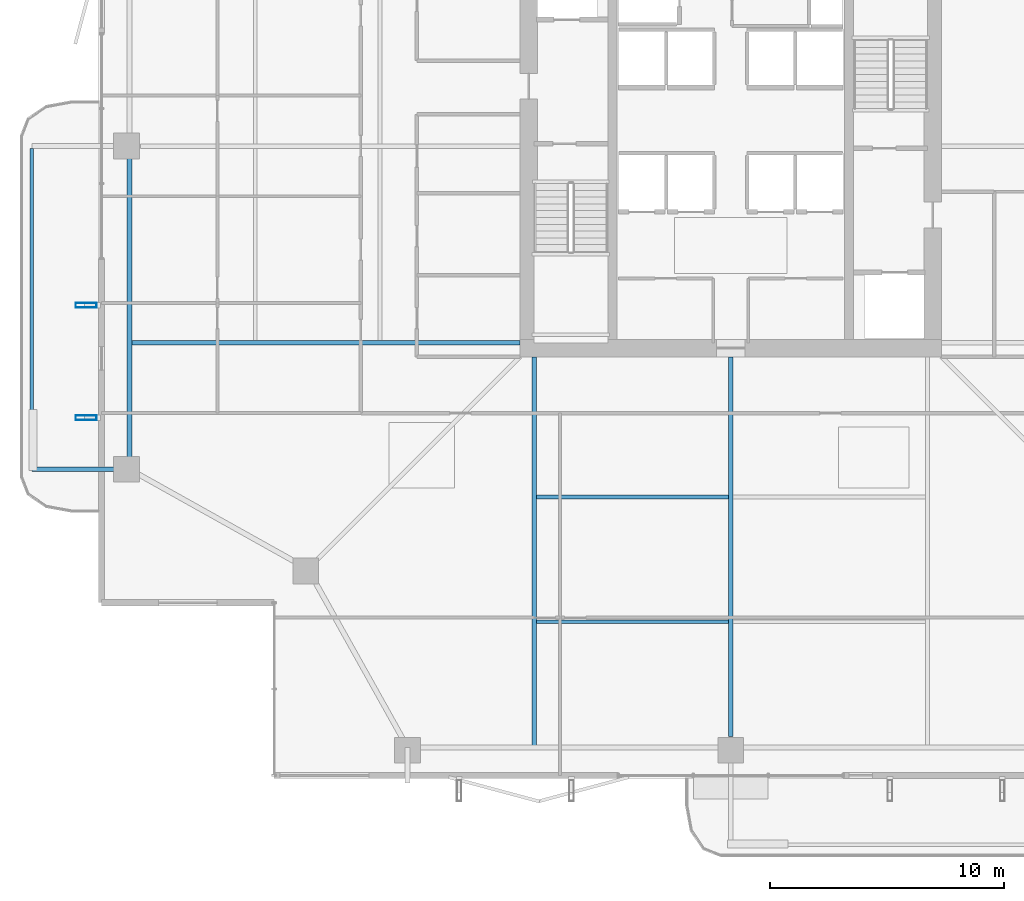
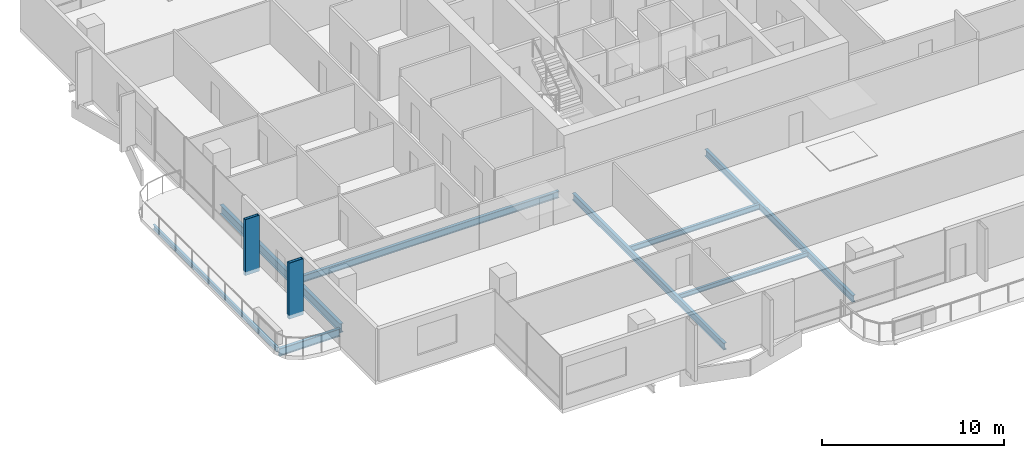
# One storey, part 4 of 29: 8 beams, 2 members.
"""IFC4 building model written with IfcOpenShell, lengths in metres."""

from ifc_helpers import new_model, si_unit, direction, frame, origin, origin_2d, place, context, subcontext, project, spatial, hollow_rectangle, i_section, extrude, material, material_profile, profile_set, type_object, element, save


model = new_model("IFC4")

# Units and contexts
model_context = context("Model", 3, precision=1e-05, world=origin(), true_north=direction((0.0, 1.0)))
body_context = subcontext(model_context, "Body", "Model", "MODEL_VIEW")
ifc_project = project(units=[si_unit("LENGTHUNIT", "METRE"), si_unit("AREAUNIT", "SQUARE_METRE"), si_unit("VOLUMEUNIT", "CUBIC_METRE"), si_unit("PLANEANGLEUNIT", "RADIAN"), si_unit("MASSUNIT", "GRAM", prefix="KILO")], contexts=[model_context])

# Site, building, storey
site_placement = place(None, origin())
site = spatial("IfcSite", under=ifc_project, at=site_placement, CompositionType="ELEMENT")
building_placement = place(site_placement, origin())
building = spatial("IfcBuilding", under=site, at=building_placement, Name="Belovzor Exchange Tower", CompositionType="ELEMENT")
storey_placement = place(building_placement, frame((0.0, 0.0, 199.949951171875)))
storey = spatial("IfcBuildingStorey", under=building, at=storey_placement, Name="L49", CompositionType="ELEMENT", Elevation=199.949951171875)

# Beams
ifc_material_1 = material(Name="Steel S355", Category="steel")
ifc_material_profile_1 = material_profile(ifc_material_1, i_section(OverallWidth=0.199951171875, OverallDepth=0.5, WebThickness=0.01025390625, FlangeThickness=0.01611328125, at=origin_2d()))
ifc_profile_set_1 = profile_set([ifc_material_profile_1], Name="Steel S355")
beam_type_1 = type_object("IfcBeamType", Name="Planted Balcony Cantilever Beam IPE 500", PredefinedType="BEAM", material=ifc_profile_set_1)
beam_1_placement = place(storey_placement, frame((2.80810546875, 15.0, -0.5), z_axis=(-1.0, 0.0, 0.0), x_axis=(0.0, -1.0, 0.0)))
element("IfcBeam", 1, at=beam_1_placement, inside=storey, type_object=beam_type_1, Name="BC-500 Planted Balcony Cantilever Beam IPE 500", PredefinedType="BEAM", context=body_context, shape_type="SweptSolid", body=[
    extrude(i_section(OverallWidth=0.199951171875, OverallDepth=0.5, WebThickness=0.01025390625, FlangeThickness=0.01611328125, at=origin_2d()), origin(), (0.0, 0.0, 1.0), 3.85009765625),
])
ifc_material_2 = material(Name="Steel S355", Category="steel")
ifc_material_profile_2 = material_profile(ifc_material_2, i_section(OverallWidth=0.14990234375, OverallDepth=0.300048828125, WebThickness=0.007080078125, FlangeThickness=0.0107421875, at=origin_2d()))
ifc_profile_set_2 = profile_set([ifc_material_profile_2], Name="Steel S355")
beam_type_2 = type_object("IfcBeamType", Name="Planted Balcony Fascia Edge Beam IPE 300", PredefinedType="BEAM", material=ifc_profile_set_2)
beam_2_placement = place(storey_placement, frame((-1.0419921875, 28.699951171875, -0.39990234375), z_axis=(0.0, -1.0, 0.0), x_axis=(1.0, 0.0, 0.0)))
element("IfcBeam", 2, at=beam_2_placement, inside=storey, type_object=beam_type_2, Name="BC-300 Planted Balcony Fascia Edge Beam IPE 300", PredefinedType="BEAM", context=body_context, shape_type="SweptSolid", body=[
    extrude(i_section(OverallWidth=0.14990234375, OverallDepth=0.300048828125, WebThickness=0.007080078125, FlangeThickness=0.0107421875, at=origin_2d()), origin(), (0.0, 0.0, 1.0), 13.599853515625),
])
ifc_material_3 = material(Name="Steel S355", Category="steel")
ifc_material_profile_3 = material_profile(ifc_material_3, i_section(OverallWidth=0.169921875, OverallDepth=0.360107421875, WebThickness=0.008056640625, FlangeThickness=0.0126953125, at=origin_2d()))
ifc_profile_set_3 = profile_set([ifc_material_profile_3], Name="Steel S355")
beam_type_3 = type_object("IfcBeamType", Name="Secondary Infill Floor Joist IPE 360", PredefinedType="BEAM", material=ifc_profile_set_3)
beam_3_placement = place(storey_placement, frame((20.4951171875, 13.81591796875, -0.429931640625), z_axis=(1.0, 0.0, 0.0), x_axis=(0.0, 1.0, 0.0)))
element("IfcBeam", 3, at=beam_3_placement, inside=storey, type_object=beam_type_3, Name="FJ-360 Secondary Infill Floor Joist IPE 360", PredefinedType="BEAM", context=body_context, shape_type="SweptSolid", body=[
    extrude(i_section(OverallWidth=0.169921875, OverallDepth=0.360107421875, WebThickness=0.008056640625, FlangeThickness=0.0126953125, at=origin_2d()), origin(), (0.0, 0.0, 1.0), 8.2099609375),
])
ifc_material_4 = material(Name="Steel S355", Category="steel")
ifc_material_profile_4 = material_profile(ifc_material_4, i_section(OverallWidth=0.14990234375, OverallDepth=0.300048828125, WebThickness=0.007080078125, FlangeThickness=0.0107421875, at=origin_2d()))
ifc_profile_set_4 = profile_set([ifc_material_profile_4], Name="Steel S355")
beam_type_4 = type_object("IfcBeamType", Name="Secondary Trim Floor Joist IPE 300", PredefinedType="BEAM", material=ifc_profile_set_4)
beam_4_placement = place(storey_placement, frame((20.4951171875, 8.49609375, -0.39990234375), z_axis=(1.0, 0.0, 0.0), x_axis=(0.0, 1.0, 0.0)))
element("IfcBeam", 4, at=beam_4_placement, inside=storey, type_object=beam_type_4, Name="FJ-300 Secondary Trim Floor Joist IPE 300", PredefinedType="BEAM", context=body_context, shape_type="SweptSolid", body=[
    extrude(i_section(OverallWidth=0.14990234375, OverallDepth=0.300048828125, WebThickness=0.007080078125, FlangeThickness=0.0107421875, at=origin_2d()), origin(), (0.0, 0.0, 1.0), 8.2099609375),
])

# Members
ifc_material_5 = material(Name="Extruded Architectural Terracotta on Steel S355 Carrier", Category="masonry")
ifc_material_profile_5 = material_profile(ifc_material_5, hollow_rectangle(XDim=0.199951171875, YDim=0.89990234375, WallThickness=0.011962890625, at=origin_2d()))
ifc_profile_set_5 = profile_set([ifc_material_profile_5], Name="Extruded Architectural Terracotta on Steel S355 Carrier")
member_type = type_object("IfcMemberType", Name="Sweeping Terracotta Baguette Fin Assembly 950", PredefinedType="USERDEFINED", material=ifc_profile_set_5)
for number, where, z_axis, x_axis, name in (
    (5, (1.27490234375, 17.199951171875, -0.25), (0.0, 0.0, 1.0), (0.0, 1.0, 0.0), "FIN-TC095 Terracotta Facade Fin L49 W1"),
    (6, (1.27490234375, 22.0, -0.25), (0.0, 0.0, 1.0), (0.0, 1.0, 0.0), "FIN-TC095 Terracotta Facade Fin L49 W2"),
):
    element("IfcMember", number, at=place(storey_placement, frame(where, z_axis=z_axis, x_axis=x_axis)), inside=storey, type_object=member_type, Name=name, ObjectType="FIN", PredefinedType="USERDEFINED", context=body_context, shape_type="SweptSolid", body=[
        extrude(hollow_rectangle(XDim=0.199951171875, YDim=0.89990234375, WallThickness=0.011962890625, at=origin_2d()), origin(), (0.0, 0.0, 1.0), 3.75),
    ])

# Beams
ifc_material_6 = material(Name="Steel S355", Category="steel")
ifc_material_profile_6 = material_profile(ifc_material_6, i_section(OverallWidth=0.18994140625, OverallDepth=0.449951171875, WebThickness=0.009521484375, FlangeThickness=0.0146484375, at=origin_2d()))
ifc_profile_set_6 = profile_set([ifc_material_profile_6], Name="Steel S355")
beam_type_5 = type_object("IfcBeamType", Name="Zone 2-4 Radial Composite Floor Beam IPE 450", PredefinedType="BEAM", material=ifc_profile_set_6)
beam_5_placement = place(storey_placement, frame((20.39990234375, 19.800048828125, -0.474853515625), z_axis=(0.0, -1.0, 0.0), x_axis=(1.0, 0.0, 0.0)))
element("IfcBeam", 7, at=beam_5_placement, inside=storey, type_object=beam_type_5, Name="FB-450 Zone 2-4 Radial Composite Floor Beam IPE 450", PredefinedType="BEAM", context=body_context, shape_type="SweptSolid", body=[
    extrude(i_section(OverallWidth=0.18994140625, OverallDepth=0.449951171875, WebThickness=0.009521484375, FlangeThickness=0.0146484375, at=origin_2d()), origin(), (0.0, 0.0, 1.0), 16.623046875),
])
beam_6_placement = place(storey_placement, frame((28.800048828125, 19.800048828125, -0.474853515625), z_axis=(0.0, -1.0, 0.0), x_axis=(1.0, 0.0, 0.0)))
element("IfcBeam", 8, at=beam_6_placement, inside=storey, type_object=beam_type_5, Name="FB-450 Zone 2-4 Radial Composite Floor Beam IPE 450", PredefinedType="BEAM", context=body_context, shape_type="SweptSolid", body=[
    extrude(i_section(OverallWidth=0.18994140625, OverallDepth=0.449951171875, WebThickness=0.009521484375, FlangeThickness=0.0146484375, at=origin_2d()), origin(), (0.0, 0.0, 1.0), 16.2099609375),
])
beam_7_placement = place(storey_placement, frame((19.800048828125, 20.39990234375, -0.474853515625), z_axis=(-1.0, 0.0, 0.0), x_axis=(0.0, -1.0, 0.0)))
element("IfcBeam", 9, at=beam_7_placement, inside=storey, type_object=beam_type_5, Name="FB-450 Zone 2-4 Radial Composite Floor Beam IPE 450", PredefinedType="BEAM", context=body_context, shape_type="SweptSolid", body=[
    extrude(i_section(OverallWidth=0.18994140625, OverallDepth=0.449951171875, WebThickness=0.009521484375, FlangeThickness=0.0146484375, at=origin_2d()), origin(), (0.0, 0.0, 1.0), 16.623046875),
])
ifc_material_7 = material(Name="Steel S355", Category="steel")
ifc_material_profile_7 = material_profile(ifc_material_7, i_section(OverallWidth=0.219970703125, OverallDepth=0.60009765625, WebThickness=0.011962890625, FlangeThickness=0.01904296875, at=origin_2d()))
ifc_profile_set_7 = profile_set([ifc_material_profile_7], Name="Steel S355")
beam_type_6 = type_object("IfcBeamType", Name="Zone 4 Flare Primary Girder IPE 600", PredefinedType="BEAM", material=ifc_profile_set_7)
beam_8_placement = place(storey_placement, frame((3.1220703125, 28.498046875, -0.550048828125), z_axis=(0.0, -1.0, 0.0), x_axis=(1.0, 0.0, 0.0)))
element("IfcBeam", 10, at=beam_8_placement, inside=storey, type_object=beam_type_6, Name="FG-Z4 Zone 4 Flare Primary Girder IPE 600", PredefinedType="BEAM", context=body_context, shape_type="SweptSolid", body=[
    extrude(i_section(OverallWidth=0.219970703125, OverallDepth=0.60009765625, WebThickness=0.011962890625, FlangeThickness=0.01904296875, at=origin_2d()), origin(), (0.0, 0.0, 1.0), 13.195068359375),
])

save(model, "model.ifc")
